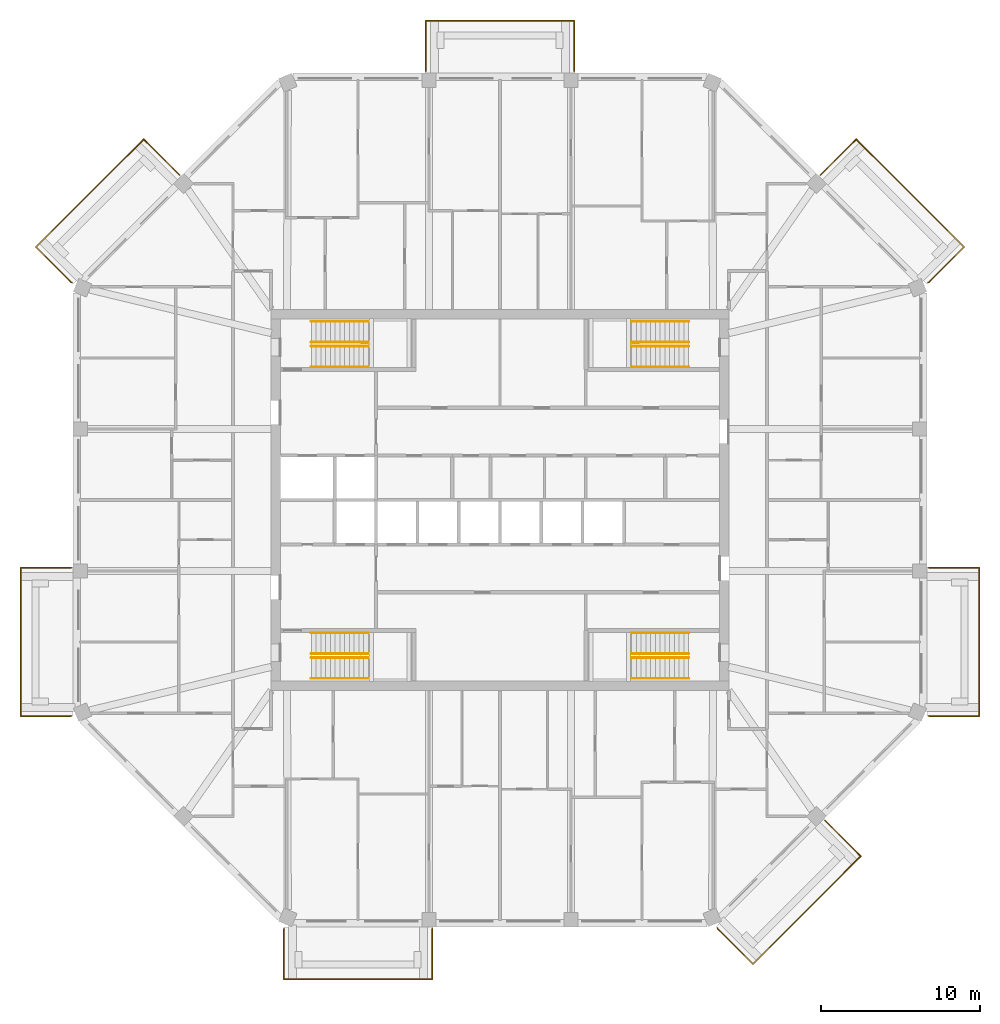
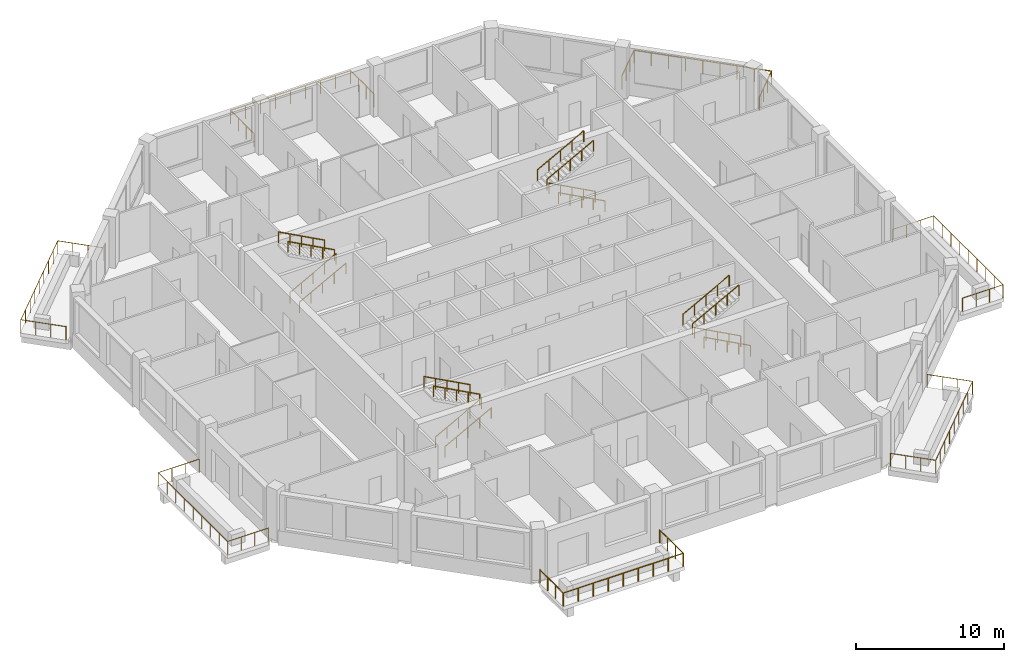
# One storey, part 11 of 11: 23 railings.
"""IFC4 building model written with IfcOpenShell, lengths in metres."""

from ifc_helpers import new_model, si_unit, direction, frame, origin, origin_2d, place, context, subcontext, project, spatial, circle, extrude, material, constituent, constituent_set, type_object, element, save


model = new_model("IFC4")

# Units and contexts
model_context = context("Model", 3, precision=1e-05, world=origin(), true_north=direction((0.0, 1.0)))
body_context = subcontext(model_context, "Body", "Model", "MODEL_VIEW")
ifc_project = project(units=[si_unit("LENGTHUNIT", "METRE"), si_unit("AREAUNIT", "SQUARE_METRE"), si_unit("VOLUMEUNIT", "CUBIC_METRE"), si_unit("PLANEANGLEUNIT", "RADIAN"), si_unit("MASSUNIT", "GRAM", prefix="KILO")], contexts=[model_context])

# Site, building, storey
site_placement = place(None, origin())
site = spatial("IfcSite", under=ifc_project, at=site_placement, CompositionType="ELEMENT")
building_placement = place(site_placement, origin())
building = spatial("IfcBuilding", under=site, at=building_placement, Name="Msitu Wima Residences", CompositionType="ELEMENT")
storey_placement = place(building_placement, frame((0.0, 0.0, 226.5)))
storey = spatial("IfcBuildingStorey", under=building, at=storey_placement, Name="L52", CompositionType="ELEMENT", Elevation=226.5)

# Railings
ifc_material_1 = material(Name="Steel S355", Category="steel")
ifc_constituent_1 = constituent(ifc_material_1, Name="Steel S355")
ifc_material_2 = material(Name="Weathering patina")
ifc_constituent_2 = constituent(ifc_material_2, Name="Weathering patina")
ifc_constituent_set_1 = constituent_set(constituents=[ifc_constituent_1, ifc_constituent_2], Name="Steel S355")
railing_type_1 = type_object("IfcRailingType", Name="Balcony guard GR1100", PredefinedType="GUARDRAIL", material=ifc_constituent_set_1)
railing_1_placement = place(storey_placement, frame((26.97998046875, -4.2685546875, 0.0)))
element("IfcRailing", 1, at=railing_1_placement, inside=storey, type_object=railing_type_1, Name="Balcony guard E0 L52", PredefinedType="GUARDRAIL", context=body_context, shape_type="SweptSolid", body=[
    extrude(circle(Radius=0.02392578125, at=origin_2d()), frame((0.0, 0.0, 1.076171875), z_axis=(1.0, 0.0, 0.0), x_axis=(0.0, 1.0, 0.0)), (0.0, 0.0, 1.0), 3.169921875),
    extrude(circle(Radius=0.02392578125, at=origin_2d()), frame((3.169921875, 0.0, 1.076171875), z_axis=(0.0, -1.0, 0.0), x_axis=(1.0, 0.0, 0.0)), (0.0, 0.0, 1.0), 9.33740234375),
    extrude(circle(Radius=0.02392578125, at=origin_2d()), frame((3.169921875, -9.33740234375, 1.076171875), z_axis=(-1.0, 0.0, 0.0), x_axis=(0.0, -1.0, 0.0)), (0.0, 0.0, 1.0), 3.136474609375),
    extrude(circle(Radius=0.02392578125, at=origin_2d()), frame((0.033447265625, -9.33740234375, 1.076171875), z_axis=(-0.923276184907, 0.384136806859, 0.0), x_axis=(-0.384136806859, -0.923276184907, 0.0)), (0.0, 0.0, 1.0), 0.0361328125),
    extrude(circle(Radius=0.02099609375, at=origin_2d()), origin(), (0.0, 0.0, 1.0), 1.052001953125),
    extrude(circle(Radius=0.02099609375, at=origin_2d()), frame((1.056640625, 0.0, 0.0)), (0.0, 0.0, 1.0), 1.052001953125),
    extrude(circle(Radius=0.02099609375, at=origin_2d()), frame((2.11328125, 0.0, 0.0)), (0.0, 0.0, 1.0), 1.052001953125),
    extrude(circle(Radius=0.02099609375, at=origin_2d()), frame((3.169921875, 0.0, 0.0)), (0.0, 0.0, 1.0), 1.052001953125),
    extrude(circle(Radius=0.02099609375, at=origin_2d()), frame((3.169921875, -1.167236328125, 0.0)), (0.0, 0.0, 1.0), 1.052001953125),
    extrude(circle(Radius=0.02099609375, at=origin_2d()), frame((3.169921875, -2.33447265625, 0.0)), (0.0, 0.0, 1.0), 1.052001953125),
    extrude(circle(Radius=0.02099609375, at=origin_2d()), frame((3.169921875, -3.50146484375, 0.0)), (0.0, 0.0, 1.0), 1.052001953125),
    extrude(circle(Radius=0.02099609375, at=origin_2d()), frame((3.169921875, -4.668701171875, 0.0)), (0.0, 0.0, 1.0), 1.052001953125),
    extrude(circle(Radius=0.02099609375, at=origin_2d()), frame((3.169921875, -5.8359375, 0.0)), (0.0, 0.0, 1.0), 1.052001953125),
    extrude(circle(Radius=0.02099609375, at=origin_2d()), frame((3.169921875, -7.0029296875, 0.0)), (0.0, 0.0, 1.0), 1.052001953125),
    extrude(circle(Radius=0.02099609375, at=origin_2d()), frame((3.169921875, -8.170166015625, 0.0)), (0.0, 0.0, 1.0), 1.052001953125),
    extrude(circle(Radius=0.02099609375, at=origin_2d()), frame((3.169921875, -9.33740234375, 0.0)), (0.0, 0.0, 1.0), 1.052001953125),
    extrude(circle(Radius=0.02099609375, at=origin_2d()), frame((2.12451171875, -9.33740234375, 0.0)), (0.0, 0.0, 1.0), 1.052001953125),
    extrude(circle(Radius=0.02099609375, at=origin_2d()), frame((1.078857421875, -9.33740234375, 0.0)), (0.0, 0.0, 1.0), 1.052001953125),
    extrude(circle(Radius=0.02099609375, at=origin_2d()), frame((0.033447265625, -9.33740234375, 0.0)), (0.0, 0.0, 1.0), 1.052001953125),
    extrude(circle(Radius=0.02099609375, at=origin_2d()), frame((0.0, -9.323486328125, 0.0)), (0.0, 0.0, 1.0), 1.052001953125),
])
railing_2_placement = place(storey_placement, frame((20.171630859375, 20.45458984375, 0.0)))
element("IfcRailing", 2, at=railing_2_placement, inside=storey, type_object=railing_type_1, Name="Balcony guard NE0 L52", PredefinedType="GUARDRAIL", context=body_context, shape_type="SweptSolid", body=[
    extrude(circle(Radius=0.02392578125, at=origin_2d()), frame((0.0, 0.0, 1.076171875), z_axis=(0.707106781187, 0.707106781187, 0.0), x_axis=(-0.707106781187, 0.707106781187, 0.0)), (0.0, 0.0, 1.0), 3.169921875),
    extrude(circle(Radius=0.02392578125, at=origin_2d()), frame((2.241455078125, 2.241455078125, 1.076171875), z_axis=(0.707106781187, -0.707106781187, 0.0), x_axis=(0.707106781187, 0.707106781187, 0.0)), (0.0, 0.0, 1.0), 9.58837890625),
    extrude(circle(Radius=0.02392578125, at=origin_2d()), frame((9.021484375, -4.53857421875, 1.076171875), z_axis=(-0.707106781187, -0.707106781187, 0.0), x_axis=(0.707106781187, -0.707106781187, 0.0)), (0.0, 0.0, 1.0), 3.136474609375),
    extrude(circle(Radius=0.02392578125, at=origin_2d()), frame((6.8037109375, -6.75634765625, 1.076171875), z_axis=(-0.92426142649, -0.38176015442, 0.0), x_axis=(0.38176015442, -0.92426142649, 0.0)), (0.0, 0.0, 1.0), 0.036376953125),
    extrude(circle(Radius=0.02099609375, at=origin_2d()), origin(), (0.0, 0.0, 1.0), 1.052001953125),
    extrude(circle(Radius=0.02099609375, at=origin_2d()), frame((0.7470703125, 0.7470703125, 0.0)), (0.0, 0.0, 1.0), 1.052001953125),
    extrude(circle(Radius=0.02099609375, at=origin_2d()), frame((1.494384765625, 1.494384765625, 0.0)), (0.0, 0.0, 1.0), 1.052001953125),
    extrude(circle(Radius=0.02099609375, at=origin_2d()), frame((2.241455078125, 2.241455078125, 0.0)), (0.0, 0.0, 1.0), 1.052001953125),
    extrude(circle(Radius=0.02099609375, at=origin_2d()), frame((3.0888671875, 1.39404296875, 0.0)), (0.0, 0.0, 1.0), 1.052001953125),
    extrude(circle(Radius=0.02099609375, at=origin_2d()), frame((3.9365234375, 0.54638671875, 0.0)), (0.0, 0.0, 1.0), 1.052001953125),
    extrude(circle(Radius=0.02099609375, at=origin_2d()), frame((4.783935546875, -0.301025390625, 0.0)), (0.0, 0.0, 1.0), 1.052001953125),
    extrude(circle(Radius=0.02099609375, at=origin_2d()), frame((5.63134765625, -1.1484375, 0.0)), (0.0, 0.0, 1.0), 1.052001953125),
    extrude(circle(Radius=0.02099609375, at=origin_2d()), frame((6.47900390625, -1.99609375, 0.0)), (0.0, 0.0, 1.0), 1.052001953125),
    extrude(circle(Radius=0.02099609375, at=origin_2d()), frame((7.326416015625, -2.843505859375, 0.0)), (0.0, 0.0, 1.0), 1.052001953125),
    extrude(circle(Radius=0.02099609375, at=origin_2d()), frame((8.174072265625, -3.691162109375, 0.0)), (0.0, 0.0, 1.0), 1.052001953125),
    extrude(circle(Radius=0.02099609375, at=origin_2d()), frame((9.021484375, -4.53857421875, 0.0)), (0.0, 0.0, 1.0), 1.052001953125),
    extrude(circle(Radius=0.02099609375, at=origin_2d()), frame((8.2822265625, -5.27783203125, 0.0)), (0.0, 0.0, 1.0), 1.052001953125),
    extrude(circle(Radius=0.02099609375, at=origin_2d()), frame((7.54296875, -6.01708984375, 0.0)), (0.0, 0.0, 1.0), 1.052001953125),
    extrude(circle(Radius=0.02099609375, at=origin_2d()), frame((6.8037109375, -6.75634765625, 0.0)), (0.0, 0.0, 1.0), 1.052001953125),
    extrude(circle(Radius=0.02099609375, at=origin_2d()), frame((6.77001953125, -6.770263671875, 0.0)), (0.0, 0.0, 1.0), 1.052001953125),
])
railing_3_placement = place(storey_placement, frame((-4.668701171875, 26.97998046875, 0.0)))
element("IfcRailing", 3, at=railing_3_placement, inside=storey, type_object=railing_type_1, Name="Balcony guard N1 L52", PredefinedType="GUARDRAIL", context=body_context, shape_type="SweptSolid", body=[
    extrude(circle(Radius=0.02392578125, at=origin_2d()), frame((0.0, 0.0, 1.076171875), z_axis=(0.0, 1.0, 0.0), x_axis=(-1.0, 0.0, 0.0)), (0.0, 0.0, 1.0), 3.169921875),
    extrude(circle(Radius=0.02392578125, at=origin_2d()), frame((0.0, 3.169921875, 1.076171875), z_axis=(1.0, 0.0, 0.0), x_axis=(0.0, 1.0, 0.0)), (0.0, 0.0, 1.0), 9.33740234375),
    extrude(circle(Radius=0.02392578125, at=origin_2d()), frame((9.33740234375, 3.169921875, 1.076171875), z_axis=(0.0, -1.0, 0.0), x_axis=(1.0, 0.0, 0.0)), (0.0, 0.0, 1.0), 3.169921875),
    extrude(circle(Radius=0.02099609375, at=origin_2d()), origin(), (0.0, 0.0, 1.0), 1.052001953125),
    extrude(circle(Radius=0.02099609375, at=origin_2d()), frame((0.0, 1.056640625, 0.0)), (0.0, 0.0, 1.0), 1.052001953125),
    extrude(circle(Radius=0.02099609375, at=origin_2d()), frame((0.0, 2.11328125, 0.0)), (0.0, 0.0, 1.0), 1.052001953125),
    extrude(circle(Radius=0.02099609375, at=origin_2d()), frame((0.0, 3.169921875, 0.0)), (0.0, 0.0, 1.0), 1.052001953125),
    extrude(circle(Radius=0.02099609375, at=origin_2d()), frame((1.167236328125, 3.169921875, 0.0)), (0.0, 0.0, 1.0), 1.052001953125),
    extrude(circle(Radius=0.02099609375, at=origin_2d()), frame((2.33447265625, 3.169921875, 0.0)), (0.0, 0.0, 1.0), 1.052001953125),
    extrude(circle(Radius=0.02099609375, at=origin_2d()), frame((3.50146484375, 3.169921875, 0.0)), (0.0, 0.0, 1.0), 1.052001953125),
    extrude(circle(Radius=0.02099609375, at=origin_2d()), frame((4.668701171875, 3.169921875, 0.0)), (0.0, 0.0, 1.0), 1.052001953125),
    extrude(circle(Radius=0.02099609375, at=origin_2d()), frame((5.8359375, 3.169921875, 0.0)), (0.0, 0.0, 1.0), 1.052001953125),
    extrude(circle(Radius=0.02099609375, at=origin_2d()), frame((7.0029296875, 3.169921875, 0.0)), (0.0, 0.0, 1.0), 1.052001953125),
    extrude(circle(Radius=0.02099609375, at=origin_2d()), frame((8.170166015625, 3.169921875, 0.0)), (0.0, 0.0, 1.0), 1.052001953125),
    extrude(circle(Radius=0.02099609375, at=origin_2d()), frame((9.33740234375, 3.169921875, 0.0)), (0.0, 0.0, 1.0), 1.052001953125),
    extrude(circle(Radius=0.02099609375, at=origin_2d()), frame((9.33740234375, 2.11328125, 0.0)), (0.0, 0.0, 1.0), 1.052001953125),
    extrude(circle(Radius=0.02099609375, at=origin_2d()), frame((9.33740234375, 1.056640625, 0.0)), (0.0, 0.0, 1.0), 1.052001953125),
    extrude(circle(Radius=0.02099609375, at=origin_2d()), frame((9.33740234375, 0.0, 0.0)), (0.0, 0.0, 1.0), 1.052001953125),
])
railing_4_placement = place(storey_placement, frame((-26.941650390625, 13.684326171875, 0.0)))
element("IfcRailing", 4, at=railing_4_placement, inside=storey, type_object=railing_type_1, Name="Balcony guard NW1 L52", PredefinedType="GUARDRAIL", context=body_context, shape_type="SweptSolid", body=[
    extrude(circle(Radius=0.02392578125, at=origin_2d()), frame((0.0, 0.0, 1.076171875), z_axis=(-0.92426142649, 0.38176015442, 0.0), x_axis=(-0.38176015442, -0.92426142649, 0.0)), (0.0, 0.0, 1.0), 0.036376953125),
    extrude(circle(Radius=0.02392578125, at=origin_2d()), frame((-0.03369140625, 0.013916015625, 1.076171875), z_axis=(-0.707106781187, 0.707106781187, 0.0), x_axis=(-0.707106781187, -0.707106781187, 0.0)), (0.0, 0.0, 1.0), 3.136474609375),
    extrude(circle(Radius=0.02392578125, at=origin_2d()), frame((-2.25146484375, 2.231689453125, 1.076171875), z_axis=(0.707106781187, 0.707106781187, 0.0), x_axis=(-0.707106781187, 0.707106781187, 0.0)), (0.0, 0.0, 1.0), 9.58837890625),
    extrude(circle(Radius=0.02392578125, at=origin_2d()), frame((4.528564453125, 9.01171875, 1.076171875), z_axis=(0.707106781187, -0.707106781187, 0.0), x_axis=(0.707106781187, 0.707106781187, 0.0)), (0.0, 0.0, 1.0), 3.169921875),
    extrude(circle(Radius=0.02099609375, at=origin_2d()), origin(), (0.0, 0.0, 1.0), 1.052001953125),
    extrude(circle(Radius=0.02099609375, at=origin_2d()), frame((-0.03369140625, 0.013916015625, 0.0)), (0.0, 0.0, 1.0), 1.052001953125),
    extrude(circle(Radius=0.02099609375, at=origin_2d()), frame((-0.77294921875, 0.753173828125, 0.0)), (0.0, 0.0, 1.0), 1.052001953125),
    extrude(circle(Radius=0.02099609375, at=origin_2d()), frame((-1.51220703125, 1.492431640625, 0.0)), (0.0, 0.0, 1.0), 1.052001953125),
    extrude(circle(Radius=0.02099609375, at=origin_2d()), frame((-2.25146484375, 2.231689453125, 0.0)), (0.0, 0.0, 1.0), 1.052001953125),
    extrude(circle(Radius=0.02099609375, at=origin_2d()), frame((-1.404052734375, 3.0791015625, 0.0)), (0.0, 0.0, 1.0), 1.052001953125),
    extrude(circle(Radius=0.02099609375, at=origin_2d()), frame((-0.556396484375, 3.9267578125, 0.0)), (0.0, 0.0, 1.0), 1.052001953125),
    extrude(circle(Radius=0.02099609375, at=origin_2d()), frame((0.291015625, 4.774169921875, 0.0)), (0.0, 0.0, 1.0), 1.052001953125),
    extrude(circle(Radius=0.02099609375, at=origin_2d()), frame((1.138671875, 5.62158203125, 0.0)), (0.0, 0.0, 1.0), 1.052001953125),
    extrude(circle(Radius=0.02099609375, at=origin_2d()), frame((1.986083984375, 6.46923828125, 0.0)), (0.0, 0.0, 1.0), 1.052001953125),
    extrude(circle(Radius=0.02099609375, at=origin_2d()), frame((2.83349609375, 7.316650390625, 0.0)), (0.0, 0.0, 1.0), 1.052001953125),
    extrude(circle(Radius=0.02099609375, at=origin_2d()), frame((3.68115234375, 8.164306640625, 0.0)), (0.0, 0.0, 1.0), 1.052001953125),
    extrude(circle(Radius=0.02099609375, at=origin_2d()), frame((4.528564453125, 9.01171875, 0.0)), (0.0, 0.0, 1.0), 1.052001953125),
    extrude(circle(Radius=0.02099609375, at=origin_2d()), frame((5.275634765625, 8.2646484375, 0.0)), (0.0, 0.0, 1.0), 1.052001953125),
    extrude(circle(Radius=0.02099609375, at=origin_2d()), frame((6.02294921875, 7.517333984375, 0.0)), (0.0, 0.0, 1.0), 1.052001953125),
    extrude(circle(Radius=0.02099609375, at=origin_2d()), frame((6.77001953125, 6.770263671875, 0.0)), (0.0, 0.0, 1.0), 1.052001953125),
])
railing_5_placement = place(storey_placement, frame((-26.97998046875, -13.592041015625, 0.0)))
element("IfcRailing", 5, at=railing_5_placement, inside=storey, type_object=railing_type_1, Name="Balcony guard W2 L52", PredefinedType="GUARDRAIL", context=body_context, shape_type="SweptSolid", body=[
    extrude(circle(Radius=0.02392578125, at=origin_2d()), frame((0.0, 0.0, 1.076171875), z_axis=(-0.923276184907, -0.384136806859, 0.0), x_axis=(0.384136806859, -0.923276184907, 0.0)), (0.0, 0.0, 1.0), 0.0361328125),
    extrude(circle(Radius=0.02392578125, at=origin_2d()), frame((-0.033447265625, -0.013916015625, 1.076171875), z_axis=(-1.0, 0.0, 0.0), x_axis=(0.0, -1.0, 0.0)), (0.0, 0.0, 1.0), 3.136474609375),
    extrude(circle(Radius=0.02392578125, at=origin_2d()), frame((-3.169921875, -0.013916015625, 1.076171875), z_axis=(0.0, 1.0, 0.0), x_axis=(-1.0, 0.0, 0.0)), (0.0, 0.0, 1.0), 9.33740234375),
    extrude(circle(Radius=0.02392578125, at=origin_2d()), frame((-3.169921875, 9.323486328125, 1.076171875), z_axis=(1.0, 0.0, 0.0), x_axis=(0.0, 1.0, 0.0)), (0.0, 0.0, 1.0), 3.169921875),
    extrude(circle(Radius=0.02099609375, at=origin_2d()), origin(), (0.0, 0.0, 1.0), 1.052001953125),
    extrude(circle(Radius=0.02099609375, at=origin_2d()), frame((-0.033447265625, -0.013916015625, 0.0)), (0.0, 0.0, 1.0), 1.052001953125),
    extrude(circle(Radius=0.02099609375, at=origin_2d()), frame((-1.078857421875, -0.013916015625, 0.0)), (0.0, 0.0, 1.0), 1.052001953125),
    extrude(circle(Radius=0.02099609375, at=origin_2d()), frame((-2.12451171875, -0.013916015625, 0.0)), (0.0, 0.0, 1.0), 1.052001953125),
    extrude(circle(Radius=0.02099609375, at=origin_2d()), frame((-3.169921875, -0.013916015625, 0.0)), (0.0, 0.0, 1.0), 1.052001953125),
    extrude(circle(Radius=0.02099609375, at=origin_2d()), frame((-3.169921875, 1.1533203125, 0.0)), (0.0, 0.0, 1.0), 1.052001953125),
    extrude(circle(Radius=0.02099609375, at=origin_2d()), frame((-3.169921875, 2.3203125, 0.0)), (0.0, 0.0, 1.0), 1.052001953125),
    extrude(circle(Radius=0.02099609375, at=origin_2d()), frame((-3.169921875, 3.487548828125, 0.0)), (0.0, 0.0, 1.0), 1.052001953125),
    extrude(circle(Radius=0.02099609375, at=origin_2d()), frame((-3.169921875, 4.65478515625, 0.0)), (0.0, 0.0, 1.0), 1.052001953125),
    extrude(circle(Radius=0.02099609375, at=origin_2d()), frame((-3.169921875, 5.822021484375, 0.0)), (0.0, 0.0, 1.0), 1.052001953125),
    extrude(circle(Radius=0.02099609375, at=origin_2d()), frame((-3.169921875, 6.9892578125, 0.0)), (0.0, 0.0, 1.0), 1.052001953125),
    extrude(circle(Radius=0.02099609375, at=origin_2d()), frame((-3.169921875, 8.15625, 0.0)), (0.0, 0.0, 1.0), 1.052001953125),
    extrude(circle(Radius=0.02099609375, at=origin_2d()), frame((-3.169921875, 9.323486328125, 0.0)), (0.0, 0.0, 1.0), 1.052001953125),
    extrude(circle(Radius=0.02099609375, at=origin_2d()), frame((-2.11328125, 9.323486328125, 0.0)), (0.0, 0.0, 1.0), 1.052001953125),
    extrude(circle(Radius=0.02099609375, at=origin_2d()), frame((-1.056640625, 9.323486328125, 0.0)), (0.0, 0.0, 1.0), 1.052001953125),
    extrude(circle(Radius=0.02099609375, at=origin_2d()), frame((0.0, 9.323486328125, 0.0)), (0.0, 0.0, 1.0), 1.052001953125),
])
railing_6_placement = place(storey_placement, frame((-4.2685546875, -26.97998046875, 0.0)))
element("IfcRailing", 6, at=railing_6_placement, inside=storey, type_object=railing_type_1, Name="Balcony guard S0 L52", PredefinedType="GUARDRAIL", context=body_context, shape_type="SweptSolid", body=[
    extrude(circle(Radius=0.02392578125, at=origin_2d()), frame((0.0, 0.0, 1.076171875), z_axis=(0.0, -1.0, 0.0), x_axis=(1.0, 0.0, 0.0)), (0.0, 0.0, 1.0), 3.169921875),
    extrude(circle(Radius=0.02392578125, at=origin_2d()), frame((0.0, -3.169921875, 1.076171875), z_axis=(-1.0, 0.0, 0.0), x_axis=(0.0, -1.0, 0.0)), (0.0, 0.0, 1.0), 9.33740234375),
    extrude(circle(Radius=0.02392578125, at=origin_2d()), frame((-9.33740234375, -3.169921875, 1.076171875), z_axis=(0.0, 1.0, 0.0), x_axis=(-1.0, 0.0, 0.0)), (0.0, 0.0, 1.0), 3.136474609375),
    extrude(circle(Radius=0.02392578125, at=origin_2d()), frame((-9.33740234375, -0.033447265625, 1.076171875), z_axis=(0.384136806859, 0.923276184907, 0.0), x_axis=(-0.923276184907, 0.384136806859, 0.0)), (0.0, 0.0, 1.0), 0.0361328125),
    extrude(circle(Radius=0.02099609375, at=origin_2d()), origin(), (0.0, 0.0, 1.0), 1.052001953125),
    extrude(circle(Radius=0.02099609375, at=origin_2d()), frame((0.0, -1.056640625, 0.0)), (0.0, 0.0, 1.0), 1.052001953125),
    extrude(circle(Radius=0.02099609375, at=origin_2d()), frame((0.0, -2.11328125, 0.0)), (0.0, 0.0, 1.0), 1.052001953125),
    extrude(circle(Radius=0.02099609375, at=origin_2d()), frame((0.0, -3.169921875, 0.0)), (0.0, 0.0, 1.0), 1.052001953125),
    extrude(circle(Radius=0.02099609375, at=origin_2d()), frame((-1.167236328125, -3.169921875, 0.0)), (0.0, 0.0, 1.0), 1.052001953125),
    extrude(circle(Radius=0.02099609375, at=origin_2d()), frame((-2.33447265625, -3.169921875, 0.0)), (0.0, 0.0, 1.0), 1.052001953125),
    extrude(circle(Radius=0.02099609375, at=origin_2d()), frame((-3.50146484375, -3.169921875, 0.0)), (0.0, 0.0, 1.0), 1.052001953125),
    extrude(circle(Radius=0.02099609375, at=origin_2d()), frame((-4.668701171875, -3.169921875, 0.0)), (0.0, 0.0, 1.0), 1.052001953125),
    extrude(circle(Radius=0.02099609375, at=origin_2d()), frame((-5.8359375, -3.169921875, 0.0)), (0.0, 0.0, 1.0), 1.052001953125),
    extrude(circle(Radius=0.02099609375, at=origin_2d()), frame((-7.0029296875, -3.169921875, 0.0)), (0.0, 0.0, 1.0), 1.052001953125),
    extrude(circle(Radius=0.02099609375, at=origin_2d()), frame((-8.170166015625, -3.169921875, 0.0)), (0.0, 0.0, 1.0), 1.052001953125),
    extrude(circle(Radius=0.02099609375, at=origin_2d()), frame((-9.33740234375, -3.169921875, 0.0)), (0.0, 0.0, 1.0), 1.052001953125),
    extrude(circle(Radius=0.02099609375, at=origin_2d()), frame((-9.33740234375, -2.12451171875, 0.0)), (0.0, 0.0, 1.0), 1.052001953125),
    extrude(circle(Radius=0.02099609375, at=origin_2d()), frame((-9.33740234375, -1.078857421875, 0.0)), (0.0, 0.0, 1.0), 1.052001953125),
    extrude(circle(Radius=0.02099609375, at=origin_2d()), frame((-9.33740234375, -0.033447265625, 0.0)), (0.0, 0.0, 1.0), 1.052001953125),
    extrude(circle(Radius=0.02099609375, at=origin_2d()), frame((-9.323486328125, 0.0, 0.0)), (0.0, 0.0, 1.0), 1.052001953125),
])
railing_7_placement = place(storey_placement, frame((20.45458984375, -20.171630859375, 0.0)))
element("IfcRailing", 7, at=railing_7_placement, inside=storey, type_object=railing_type_1, Name="Balcony guard SE0 L52", PredefinedType="GUARDRAIL", context=body_context, shape_type="SweptSolid", body=[
    extrude(circle(Radius=0.02392578125, at=origin_2d()), frame((0.0, 0.0, 1.076171875), z_axis=(0.707106781187, -0.707106781187, 0.0), x_axis=(0.707106781187, 0.707106781187, 0.0)), (0.0, 0.0, 1.0), 3.169921875),
    extrude(circle(Radius=0.02392578125, at=origin_2d()), frame((2.241455078125, -2.241455078125, 1.076171875), z_axis=(-0.707106781187, -0.707106781187, 0.0), x_axis=(0.707106781187, -0.707106781187, 0.0)), (0.0, 0.0, 1.0), 9.58837890625),
    extrude(circle(Radius=0.02392578125, at=origin_2d()), frame((-4.53857421875, -9.021484375, 1.076171875), z_axis=(-0.707106781187, 0.707106781187, 0.0), x_axis=(-0.707106781187, -0.707106781187, 0.0)), (0.0, 0.0, 1.0), 3.136474609375),
    extrude(circle(Radius=0.02392578125, at=origin_2d()), frame((-6.75634765625, -6.8037109375, 1.076171875), z_axis=(-0.38176015442, 0.92426142649, 0.0), x_axis=(-0.92426142649, -0.38176015442, 0.0)), (0.0, 0.0, 1.0), 0.036376953125),
    extrude(circle(Radius=0.02099609375, at=origin_2d()), origin(), (0.0, 0.0, 1.0), 1.052001953125),
    extrude(circle(Radius=0.02099609375, at=origin_2d()), frame((0.7470703125, -0.7470703125, 0.0)), (0.0, 0.0, 1.0), 1.052001953125),
    extrude(circle(Radius=0.02099609375, at=origin_2d()), frame((1.494384765625, -1.494384765625, 0.0)), (0.0, 0.0, 1.0), 1.052001953125),
    extrude(circle(Radius=0.02099609375, at=origin_2d()), frame((2.241455078125, -2.241455078125, 0.0)), (0.0, 0.0, 1.0), 1.052001953125),
    extrude(circle(Radius=0.02099609375, at=origin_2d()), frame((1.39404296875, -3.0888671875, 0.0)), (0.0, 0.0, 1.0), 1.052001953125),
    extrude(circle(Radius=0.02099609375, at=origin_2d()), frame((0.54638671875, -3.9365234375, 0.0)), (0.0, 0.0, 1.0), 1.052001953125),
    extrude(circle(Radius=0.02099609375, at=origin_2d()), frame((-0.301025390625, -4.783935546875, 0.0)), (0.0, 0.0, 1.0), 1.052001953125),
    extrude(circle(Radius=0.02099609375, at=origin_2d()), frame((-1.1484375, -5.63134765625, 0.0)), (0.0, 0.0, 1.0), 1.052001953125),
    extrude(circle(Radius=0.02099609375, at=origin_2d()), frame((-1.99609375, -6.47900390625, 0.0)), (0.0, 0.0, 1.0), 1.052001953125),
    extrude(circle(Radius=0.02099609375, at=origin_2d()), frame((-2.843505859375, -7.326416015625, 0.0)), (0.0, 0.0, 1.0), 1.052001953125),
    extrude(circle(Radius=0.02099609375, at=origin_2d()), frame((-3.691162109375, -8.174072265625, 0.0)), (0.0, 0.0, 1.0), 1.052001953125),
    extrude(circle(Radius=0.02099609375, at=origin_2d()), frame((-4.53857421875, -9.021484375, 0.0)), (0.0, 0.0, 1.0), 1.052001953125),
    extrude(circle(Radius=0.02099609375, at=origin_2d()), frame((-5.27783203125, -8.2822265625, 0.0)), (0.0, 0.0, 1.0), 1.052001953125),
    extrude(circle(Radius=0.02099609375, at=origin_2d()), frame((-6.01708984375, -7.54296875, 0.0)), (0.0, 0.0, 1.0), 1.052001953125),
    extrude(circle(Radius=0.02099609375, at=origin_2d()), frame((-6.75634765625, -6.8037109375, 0.0)), (0.0, 0.0, 1.0), 1.052001953125),
    extrude(circle(Radius=0.02099609375, at=origin_2d()), frame((-6.770263671875, -6.77001953125, 0.0)), (0.0, 0.0, 1.0), 1.052001953125),
])
ifc_constituent_3 = constituent(ifc_material_1, Name="Steel S355")
ifc_material_3 = material(Name="Black powder coating")
ifc_constituent_4 = constituent(ifc_material_3, Name="Black powder coating")
ifc_constituent_set_2 = constituent_set(constituents=[ifc_constituent_3, ifc_constituent_4], Name="Steel S355")
railing_type_2 = type_object("IfcRailingType", Name="Stair handrail HR1", PredefinedType="HANDRAIL", material=ifc_constituent_set_2)
for number, where, name in (
    (8, (-11.875, 8.375, 0.16162109375), "Stair 1 handrail"),
    (9, (-11.875, 9.675048828125, 0.16162109375), "Stair 1 handrail"),
):
    element("IfcRailing", number, at=place(storey_placement, frame(where)), inside=storey, type_object=railing_type_2, Name=name, PredefinedType="HANDRAIL", context=body_context, shape_type="SweptSolid", body=[
        extrude(circle(Radius=0.02392578125, at=origin_2d()), frame((0.0, 0.0, 0.8759765625), z_axis=(0.880474934443, 0.0, 0.474092701714), x_axis=(0.0, 1.0, 0.0)), (0.0, 0.0, 1.0), 4.0888671875),
        extrude(circle(Radius=0.02099609375, at=origin_2d()), origin(), (0.0, 0.0, 1.0), 0.851806640625),
        extrude(circle(Radius=0.02099609375, at=origin_2d()), frame((0.89990234375, 0.0, 0.484619140625)), (0.0, 0.0, 1.0), 0.851806640625),
        extrude(circle(Radius=0.02099609375, at=origin_2d()), frame((1.800048828125, 0.0, 0.96923828125)), (0.0, 0.0, 1.0), 0.851806640625),
        extrude(circle(Radius=0.02099609375, at=origin_2d()), frame((2.7001953125, 0.0, 1.453857421875)), (0.0, 0.0, 1.0), 0.851806640625),
        extrude(circle(Radius=0.02099609375, at=origin_2d()), frame((3.60009765625, 0.0, 1.9384765625)), (0.0, 0.0, 1.0), 0.851806640625),
    ])
for number, where, name in (
    (10, (-8.27490234375, 9.925048828125, 2.261474609375), "Stair 1 handrail"),
    (11, (-8.27490234375, 11.22509765625, 2.261474609375), "Stair 1 handrail"),
):
    element("IfcRailing", number, at=place(storey_placement, frame(where)), inside=storey, type_object=railing_type_2, Name=name, PredefinedType="HANDRAIL", context=body_context, shape_type="SweptSolid", body=[
        extrude(circle(Radius=0.02392578125, at=origin_2d()), frame((0.0, 0.0, 0.8759765625), z_axis=(-0.880474934443, 0.0, 0.474092701714), x_axis=(0.0, -1.0, 0.0)), (0.0, 0.0, 1.0), 4.0888671875),
        extrude(circle(Radius=0.02099609375, at=origin_2d()), origin(), (0.0, 0.0, 1.0), 0.851806640625),
        extrude(circle(Radius=0.02099609375, at=origin_2d()), frame((-0.89990234375, 0.0, 0.484619140625)), (0.0, 0.0, 1.0), 0.851806640625),
        extrude(circle(Radius=0.02099609375, at=origin_2d()), frame((-1.800048828125, 0.0, 0.96923828125)), (0.0, 0.0, 1.0), 0.851806640625),
        extrude(circle(Radius=0.02099609375, at=origin_2d()), frame((-2.7001953125, 0.0, 1.453857421875)), (0.0, 0.0, 1.0), 0.851806640625),
        extrude(circle(Radius=0.02099609375, at=origin_2d()), frame((-3.60009765625, 0.0, 1.9384765625)), (0.0, 0.0, 1.0), 0.851806640625),
    ])
for number, where, name in (
    (12, (-11.875, -11.22509765625, 0.16162109375), "Stair 2 handrail"),
    (13, (-11.875, -9.925048828125, 0.16162109375), "Stair 2 handrail"),
):
    element("IfcRailing", number, at=place(storey_placement, frame(where)), inside=storey, type_object=railing_type_2, Name=name, PredefinedType="HANDRAIL", context=body_context, shape_type="SweptSolid", body=[
        extrude(circle(Radius=0.02392578125, at=origin_2d()), frame((0.0, 0.0, 0.8759765625), z_axis=(0.880474934443, 0.0, 0.474092701714), x_axis=(0.0, 1.0, 0.0)), (0.0, 0.0, 1.0), 4.0888671875),
        extrude(circle(Radius=0.02099609375, at=origin_2d()), origin(), (0.0, 0.0, 1.0), 0.851806640625),
        extrude(circle(Radius=0.02099609375, at=origin_2d()), frame((0.89990234375, 0.0, 0.484619140625)), (0.0, 0.0, 1.0), 0.851806640625),
        extrude(circle(Radius=0.02099609375, at=origin_2d()), frame((1.800048828125, 0.0, 0.96923828125)), (0.0, 0.0, 1.0), 0.851806640625),
        extrude(circle(Radius=0.02099609375, at=origin_2d()), frame((2.7001953125, 0.0, 1.453857421875)), (0.0, 0.0, 1.0), 0.851806640625),
        extrude(circle(Radius=0.02099609375, at=origin_2d()), frame((3.60009765625, 0.0, 1.9384765625)), (0.0, 0.0, 1.0), 0.851806640625),
    ])
for number, where, name in (
    (14, (-8.27490234375, -9.675048828125, 2.261474609375), "Stair 2 handrail"),
    (15, (-8.27490234375, -8.375, 2.261474609375), "Stair 2 handrail"),
    (16, (11.875, 8.375, 0.16162109375), "Stair 3 handrail"),
    (17, (11.875, 9.675048828125, 0.16162109375), "Stair 3 handrail"),
):
    element("IfcRailing", number, at=place(storey_placement, frame(where)), inside=storey, type_object=railing_type_2, Name=name, PredefinedType="HANDRAIL", context=body_context, shape_type="SweptSolid", body=[
        extrude(circle(Radius=0.02392578125, at=origin_2d()), frame((0.0, 0.0, 0.8759765625), z_axis=(-0.880474934443, 0.0, 0.474092701714), x_axis=(0.0, -1.0, 0.0)), (0.0, 0.0, 1.0), 4.0888671875),
        extrude(circle(Radius=0.02099609375, at=origin_2d()), origin(), (0.0, 0.0, 1.0), 0.851806640625),
        extrude(circle(Radius=0.02099609375, at=origin_2d()), frame((-0.89990234375, 0.0, 0.484619140625)), (0.0, 0.0, 1.0), 0.851806640625),
        extrude(circle(Radius=0.02099609375, at=origin_2d()), frame((-1.800048828125, 0.0, 0.96923828125)), (0.0, 0.0, 1.0), 0.851806640625),
        extrude(circle(Radius=0.02099609375, at=origin_2d()), frame((-2.7001953125, 0.0, 1.453857421875)), (0.0, 0.0, 1.0), 0.851806640625),
        extrude(circle(Radius=0.02099609375, at=origin_2d()), frame((-3.60009765625, 0.0, 1.9384765625)), (0.0, 0.0, 1.0), 0.851806640625),
    ])
for number, where, name in (
    (18, (8.27490234375, 9.925048828125, 2.261474609375), "Stair 3 handrail"),
    (19, (8.27490234375, 11.22509765625, 2.261474609375), "Stair 3 handrail"),
):
    element("IfcRailing", number, at=place(storey_placement, frame(where)), inside=storey, type_object=railing_type_2, Name=name, PredefinedType="HANDRAIL", context=body_context, shape_type="SweptSolid", body=[
        extrude(circle(Radius=0.02392578125, at=origin_2d()), frame((0.0, 0.0, 0.8759765625), z_axis=(0.880474934443, 0.0, 0.474092701714), x_axis=(0.0, 1.0, 0.0)), (0.0, 0.0, 1.0), 4.0888671875),
        extrude(circle(Radius=0.02099609375, at=origin_2d()), origin(), (0.0, 0.0, 1.0), 0.851806640625),
        extrude(circle(Radius=0.02099609375, at=origin_2d()), frame((0.89990234375, 0.0, 0.484619140625)), (0.0, 0.0, 1.0), 0.851806640625),
        extrude(circle(Radius=0.02099609375, at=origin_2d()), frame((1.800048828125, 0.0, 0.96923828125)), (0.0, 0.0, 1.0), 0.851806640625),
        extrude(circle(Radius=0.02099609375, at=origin_2d()), frame((2.7001953125, 0.0, 1.453857421875)), (0.0, 0.0, 1.0), 0.851806640625),
        extrude(circle(Radius=0.02099609375, at=origin_2d()), frame((3.60009765625, 0.0, 1.9384765625)), (0.0, 0.0, 1.0), 0.851806640625),
    ])
for number, where, name in (
    (20, (11.875, -11.22509765625, 0.16162109375), "Stair 4 handrail"),
    (21, (11.875, -9.925048828125, 0.16162109375), "Stair 4 handrail"),
):
    element("IfcRailing", number, at=place(storey_placement, frame(where)), inside=storey, type_object=railing_type_2, Name=name, PredefinedType="HANDRAIL", context=body_context, shape_type="SweptSolid", body=[
        extrude(circle(Radius=0.02392578125, at=origin_2d()), frame((0.0, 0.0, 0.8759765625), z_axis=(-0.880474934443, 0.0, 0.474092701714), x_axis=(0.0, -1.0, 0.0)), (0.0, 0.0, 1.0), 4.0888671875),
        extrude(circle(Radius=0.02099609375, at=origin_2d()), origin(), (0.0, 0.0, 1.0), 0.851806640625),
        extrude(circle(Radius=0.02099609375, at=origin_2d()), frame((-0.89990234375, 0.0, 0.484619140625)), (0.0, 0.0, 1.0), 0.851806640625),
        extrude(circle(Radius=0.02099609375, at=origin_2d()), frame((-1.800048828125, 0.0, 0.96923828125)), (0.0, 0.0, 1.0), 0.851806640625),
        extrude(circle(Radius=0.02099609375, at=origin_2d()), frame((-2.7001953125, 0.0, 1.453857421875)), (0.0, 0.0, 1.0), 0.851806640625),
        extrude(circle(Radius=0.02099609375, at=origin_2d()), frame((-3.60009765625, 0.0, 1.9384765625)), (0.0, 0.0, 1.0), 0.851806640625),
    ])
for number, where, name in (
    (22, (8.27490234375, -9.675048828125, 2.261474609375), "Stair 4 handrail"),
    (23, (8.27490234375, -8.375, 2.261474609375), "Stair 4 handrail"),
):
    element("IfcRailing", number, at=place(storey_placement, frame(where)), inside=storey, type_object=railing_type_2, Name=name, PredefinedType="HANDRAIL", context=body_context, shape_type="SweptSolid", body=[
        extrude(circle(Radius=0.02392578125, at=origin_2d()), frame((0.0, 0.0, 0.8759765625), z_axis=(0.880474934443, 0.0, 0.474092701714), x_axis=(0.0, 1.0, 0.0)), (0.0, 0.0, 1.0), 4.0888671875),
        extrude(circle(Radius=0.02099609375, at=origin_2d()), origin(), (0.0, 0.0, 1.0), 0.851806640625),
        extrude(circle(Radius=0.02099609375, at=origin_2d()), frame((0.89990234375, 0.0, 0.484619140625)), (0.0, 0.0, 1.0), 0.851806640625),
        extrude(circle(Radius=0.02099609375, at=origin_2d()), frame((1.800048828125, 0.0, 0.96923828125)), (0.0, 0.0, 1.0), 0.851806640625),
        extrude(circle(Radius=0.02099609375, at=origin_2d()), frame((2.7001953125, 0.0, 1.453857421875)), (0.0, 0.0, 1.0), 0.851806640625),
        extrude(circle(Radius=0.02099609375, at=origin_2d()), frame((3.60009765625, 0.0, 1.9384765625)), (0.0, 0.0, 1.0), 0.851806640625),
    ])

save(model, "model.ifc")
